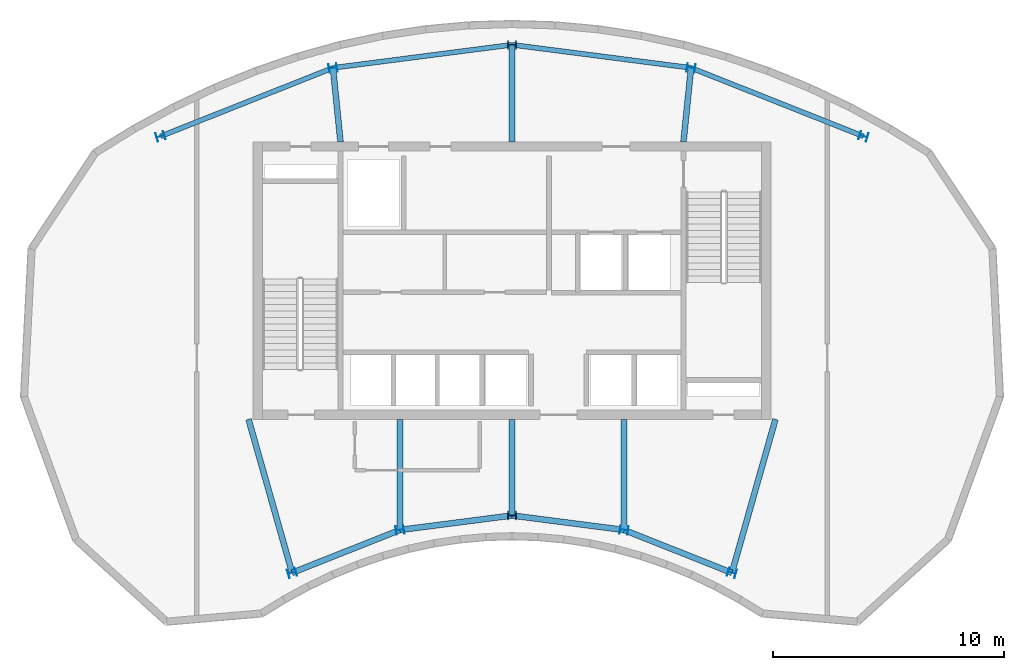
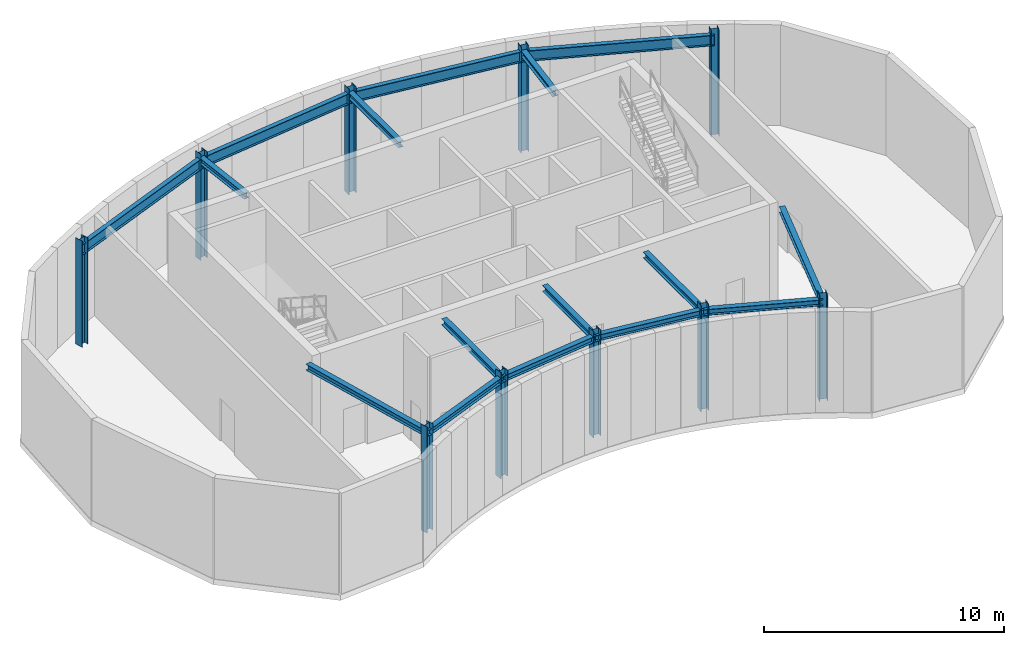
# One storey, part 1 of 5: 16 beams, 10 columns.
"""IFC4 building model written with IfcOpenShell, lengths in metres."""

from ifc_helpers import new_model, si_unit, direction, frame, origin, origin_2d, place, context, subcontext, project, spatial, i_section, extrude, source, transform, mapped, material, material_profile, profile_set, type_object, element, save


model = new_model("IFC4")

# Units and contexts
model_context = context("Model", 3, precision=1e-05, world=origin(), true_north=direction((0.0, 1.0)))
body_context = subcontext(model_context, "Body", "Model", "MODEL_VIEW")
ifc_project = project(units=[si_unit("LENGTHUNIT", "METRE"), si_unit("AREAUNIT", "SQUARE_METRE"), si_unit("VOLUMEUNIT", "CUBIC_METRE"), si_unit("PLANEANGLEUNIT", "RADIAN"), si_unit("MASSUNIT", "GRAM", prefix="KILO")], contexts=[model_context])

# Site, building, storey
site_placement = place(None, origin())
site = spatial("IfcSite", under=ifc_project, at=site_placement, CompositionType="ELEMENT")
building_placement = place(site_placement, origin())
building = spatial("IfcBuilding", under=site, at=building_placement, Name="Breltana Convention Tower", CompositionType="ELEMENT")
storey_placement = place(building_placement, frame((0.0, 0.0, 318.0)))
storey = spatial("IfcBuildingStorey", under=building, at=storey_placement, Name="L77", CompositionType="ELEMENT", Elevation=318.0)

# Columns
ifc_material = material(Name="Steel ASTM A992 Grade 50", Category="steel")
ifc_material_profile_1 = material_profile(ifc_material, i_section(OverallWidth=0.368896484375, OverallDepth=0.35595703125, WebThickness=0.01123046875, FlangeThickness=0.01806640625, at=origin_2d()), Name="W14X90")
ifc_profile_set_1 = profile_set([ifc_material_profile_1], Name="Steel ASTM A992 Grade 50")
column_type = type_object("IfcColumnType", Name="COL-STL-W14X90", PredefinedType="COLUMN", material=ifc_profile_set_1)
shared_shape_1 = source(origin(), body_context, "Body", "SweptSolid", [
    extrude(i_section(OverallWidth=0.368896484375, OverallDepth=0.35595703125, WebThickness=0.01123046875, FlangeThickness=0.01806640625, at=origin_2d()), origin(), (0.0, 0.0, 1.0), 5.39990234375),
])
for number, where, z_axis, x_axis, name in (
    (1, (38.485107421875, 53.5576171875, 0.0), (0.0, 0.0, 1.0), (-0.288697611798, 0.957420330337, 0.0), "L77 Tower Column R04-IN"),
    (2, (32.791015625, 72.4423828125, 0.0), (0.0, 0.0, 1.0), (-0.288697611798, 0.957420330337, 0.0), "L77 Tower Column R04-OUT"),
    (3, (43.153564453125, 55.41064453125, 0.0), (0.0, 0.0, 1.0), (-0.143492621991, 0.98965138682, 0.0), "L77 Tower Column R05-IN"),
    (4, (40.253173828125, 75.404296875, 0.0), (0.0, 0.0, 1.0), (-0.143492621991, 0.98965138682, 0.0), "L77 Tower Column R05-OUT"),
    (5, (48.0, 56.035888671875, 0.0), (0.0, 0.0, 1.0), (0.0, 1.0, 0.0), "L77 Tower Column R06-IN"),
    (6, (48.0, 76.404052734375, 0.0), (0.0, 0.0, 1.0), (0.0, 1.0, 0.0), "L77 Tower Column R06-OUT"),
    (7, (52.846435546875, 55.41064453125, 0.0), (0.0, 0.0, 1.0), (0.143492621991, 0.98965138682, 0.0), "L77 Tower Column R07-IN"),
    (8, (55.746826171875, 75.404296875, 0.0), (0.0, 0.0, 1.0), (0.143492621991, 0.98965138682, 0.0), "L77 Tower Column R07-OUT"),
    (9, (57.514892578125, 53.5576171875, 0.0), (0.0, 0.0, 1.0), (0.288697611798, 0.957420330337, 0.0), "L77 Tower Column R08-IN"),
    (10, (63.208984375, 72.4423828125, 0.0), (0.0, 0.0, 1.0), (0.288697611798, 0.957420330337, 0.0), "L77 Tower Column R08-OUT"),
):
    element("IfcColumn", number, at=place(storey_placement, frame(where, z_axis=z_axis, x_axis=x_axis)), inside=storey, type_object=column_type, Name=name, PredefinedType="COLUMN", context=body_context, shape_type="MappedRepresentation", body=[
        mapped(shared_shape_1, transform((0.0, 0.0, 0.0), scale=1.0)),
    ])

# Beams
ifc_material_profile_2 = material_profile(ifc_material, i_section(OverallWidth=0.214111328125, OverallDepth=0.549072265625, WebThickness=0.0146484375, FlangeThickness=0.023681640625, at=origin_2d()), Name="W21X93")
ifc_profile_set_2 = profile_set([ifc_material_profile_2], Name="Steel ASTM A992 Grade 50")
beam_type_1 = type_object("IfcBeamType", Name="BM-SP-W21X93", PredefinedType="SPANDREL", material=ifc_profile_set_2)
shared_shape_2 = source(origin(), body_context, "Body", "SweptSolid", [
    extrude(i_section(OverallWidth=0.214111328125, OverallDepth=0.549072265625, WebThickness=0.0146484375, FlangeThickness=0.023681640625, at=origin_2d()), origin(), (0.0, 0.0, 1.0), 8.028564453125),
])
for number, where, z_axis, x_axis, name in (
    (11, (32.791015625, 72.4423828125, 4.845458984375), (0.929459100394, 0.368925169507, 0.0), (-0.368925169507, 0.929459100394, 0.0), "L77 Outer Spandrel Beam 04"),
    (12, (55.746826171875, 75.404296875, 4.845458984375), (0.929459100394, -0.368925169507, 0.0), (0.368925169507, 0.929459100394, 0.0), "L77 Outer Spandrel Beam 07"),
):
    element("IfcBeam", number, at=place(storey_placement, frame(where, z_axis=z_axis, x_axis=x_axis)), inside=storey, type_object=beam_type_1, Name=name, PredefinedType="SPANDREL", context=body_context, shape_type="MappedRepresentation", body=[
        mapped(shared_shape_2, transform((0.0, 0.0, 0.0), scale=1.0)),
    ])
shared_shape_3 = source(origin(), body_context, "Body", "SweptSolid", [
    extrude(i_section(OverallWidth=0.214111328125, OverallDepth=0.549072265625, WebThickness=0.0146484375, FlangeThickness=0.023681640625, at=origin_2d()), origin(), (0.0, 0.0, 1.0), 7.81103515625),
])
for number, where, z_axis, x_axis, name in (
    (13, (40.253173828125, 75.404296875, 4.845458984375), (0.991775179127, 0.127992164083, 0.0), (-0.127992164083, 0.991775179127, 0.0), "L77 Outer Spandrel Beam 05"),
    (14, (48.0, 76.404052734375, 4.845458984375), (0.991775179127, -0.127992164083, 0.0), (0.127992164083, 0.991775179127, 0.0), "L77 Outer Spandrel Beam 06"),
):
    element("IfcBeam", number, at=place(storey_placement, frame(where, z_axis=z_axis, x_axis=x_axis)), inside=storey, type_object=beam_type_1, Name=name, PredefinedType="SPANDREL", context=body_context, shape_type="MappedRepresentation", body=[
        mapped(shared_shape_3, transform((0.0, 0.0, 0.0), scale=1.0)),
    ])
ifc_material_profile_3 = material_profile(ifc_material, i_section(OverallWidth=0.25390625, OverallDepth=0.305908203125, WebThickness=0.0087890625, FlangeThickness=0.0146484375, at=origin_2d()), Name="W12X53")
ifc_profile_set_3 = profile_set([ifc_material_profile_3], Name="Steel ASTM A992 Grade 50")
beam_type_2 = type_object("IfcBeamType", Name="BM-CN-W12X53", PredefinedType="BEAM", material=ifc_profile_set_3)
shared_shape_4 = source(origin(), body_context, "Body", "SweptSolid", [
    extrude(i_section(OverallWidth=0.25390625, OverallDepth=0.305908203125, WebThickness=0.0087890625, FlangeThickness=0.0146484375, at=origin_2d()), origin(), (0.0, 0.0, 1.0), 6.904541015625),
])
for number, where, z_axis, x_axis, name in (
    (15, (36.60009765625, 60.199951171875, 4.967041015625), (0.273006781054, -0.962012108811, 0.0), (0.962012108811, 0.273006781054, 0.0), "L77 South Core Tie Girder R04"),
    (16, (59.39990234375, 60.199951171875, 4.967041015625), (-0.273006781054, -0.962012108811, 0.0), (0.962012108811, -0.273006781054, 0.0), "L77 South Core Tie Girder R08"),
):
    element("IfcBeam", number, at=place(storey_placement, frame(where, z_axis=z_axis, x_axis=x_axis)), inside=storey, type_object=beam_type_2, Name=name, PredefinedType="BEAM", context=body_context, shape_type="MappedRepresentation", body=[
        mapped(shared_shape_4, transform((0.0, 0.0, 0.0), scale=1.0)),
    ])
shared_shape_5 = source(origin(), body_context, "Body", "SweptSolid", [
    extrude(i_section(OverallWidth=0.25390625, OverallDepth=0.305908203125, WebThickness=0.0087890625, FlangeThickness=0.0146484375, at=origin_2d()), origin(), (0.0, 0.0, 1.0), 4.789306640625),
])
for number, where, z_axis, x_axis, name in (
    (17, (43.153564453125, 60.199951171875, 4.967041015625), (0.0, -1.0, 0.0), (1.0, 0.0, 0.0), "L77 South Core Tie Girder R05"),
    (18, (52.846435546875, 60.199951171875, 4.967041015625), (0.0, -1.0, 0.0), (1.0, 0.0, 0.0), "L77 South Core Tie Girder R07"),
):
    element("IfcBeam", number, at=place(storey_placement, frame(where, z_axis=z_axis, x_axis=x_axis)), inside=storey, type_object=beam_type_2, Name=name, PredefinedType="BEAM", context=body_context, shape_type="MappedRepresentation", body=[
        mapped(shared_shape_5, transform((0.0, 0.0, 0.0), scale=1.0)),
    ])
shared_shape_6 = source(origin(), body_context, "Body", "SweptSolid", [
    extrude(i_section(OverallWidth=0.25390625, OverallDepth=0.305908203125, WebThickness=0.0087890625, FlangeThickness=0.0146484375, at=origin_2d()), origin(), (0.0, 0.0, 1.0), 3.220947265625),
])
for number, where, z_axis, x_axis, name in (
    (19, (40.580078125, 72.199951171875, 4.967041015625), (-0.101492254858, 0.994836329355, 0.0), (-0.994836329355, -0.101492254858, 0.0), "L77 North Core Radial Girder R05"),
    (20, (55.419921875, 72.199951171875, 4.967041015625), (0.101492254858, 0.994836329355, 0.0), (-0.994836329355, 0.101492254858, 0.0), "L77 North Core Radial Girder R07"),
):
    element("IfcBeam", number, at=place(storey_placement, frame(where, z_axis=z_axis, x_axis=x_axis)), inside=storey, type_object=beam_type_2, Name=name, PredefinedType="BEAM", context=body_context, shape_type="MappedRepresentation", body=[
        mapped(shared_shape_6, transform((0.0, 0.0, 0.0), scale=1.0)),
    ])
shared_shape_7 = source(origin(), body_context, "Body", "SweptSolid", [
    extrude(i_section(OverallWidth=0.25390625, OverallDepth=0.305908203125, WebThickness=0.0087890625, FlangeThickness=0.0146484375, at=origin_2d()), origin(), (0.0, 0.0, 1.0), 4.1640625),
])
beam_1_placement = place(storey_placement, frame((48.0, 60.199951171875, 4.967041015625), z_axis=(0.0, -1.0, 0.0), x_axis=(1.0, 0.0, 0.0)))
element("IfcBeam", 21, at=beam_1_placement, inside=storey, type_object=beam_type_2, Name="L77 South Core Tie Girder R06", PredefinedType="BEAM", context=body_context, shape_type="MappedRepresentation", body=[
    mapped(shared_shape_7, transform((0.0, 0.0, 0.0), scale=1.0)),
])
shared_shape_8 = source(origin(), body_context, "Body", "SweptSolid", [
    extrude(i_section(OverallWidth=0.25390625, OverallDepth=0.305908203125, WebThickness=0.0087890625, FlangeThickness=0.0146484375, at=origin_2d()), origin(), (0.0, 0.0, 1.0), 4.2041015625),
])
beam_2_placement = place(storey_placement, frame((48.0, 72.199951171875, 4.967041015625), z_axis=(0.0, 1.0, 0.0), x_axis=(-1.0, 0.0, 0.0)))
element("IfcBeam", 22, at=beam_2_placement, inside=storey, type_object=beam_type_2, Name="L77 North Core Radial Girder R06", PredefinedType="BEAM", context=body_context, shape_type="MappedRepresentation", body=[
    mapped(shared_shape_8, transform((0.0, 0.0, 0.0), scale=1.0)),
])
shared_shape_9 = source(origin(), body_context, "Body", "SweptSolid", [
    extrude(i_section(OverallWidth=0.25390625, OverallDepth=0.305908203125, WebThickness=0.0087890625, FlangeThickness=0.0146484375, at=origin_2d()), origin(), (0.0, 0.0, 1.0), 5.022705078125),
])
for number, where, z_axis, x_axis, name in (
    (23, (38.485107421875, 53.5576171875, 4.967041015625), (0.929458966248, 0.368925507469, 0.0), (-0.368925507469, 0.929458966248, 0.0), "L77 Inner Ring Beam 04"),
    (24, (52.846435546875, 55.41064453125, 4.967041015625), (0.929458966248, -0.368925507469, 0.0), (0.368925507469, 0.929458966248, 0.0), "L77 Inner Ring Beam 07"),
):
    element("IfcBeam", number, at=place(storey_placement, frame(where, z_axis=z_axis, x_axis=x_axis)), inside=storey, type_object=beam_type_2, Name=name, PredefinedType="BEAM", context=body_context, shape_type="MappedRepresentation", body=[
        mapped(shared_shape_9, transform((0.0, 0.0, 0.0), scale=1.0)),
    ])
shared_shape_10 = source(origin(), body_context, "Body", "SweptSolid", [
    extrude(i_section(OverallWidth=0.25390625, OverallDepth=0.305908203125, WebThickness=0.0087890625, FlangeThickness=0.0146484375, at=origin_2d()), origin(), (0.0, 0.0, 1.0), 4.88671875),
])
for number, where, z_axis, x_axis, name in (
    (25, (43.153564453125, 55.41064453125, 4.967041015625), (0.991780525565, 0.127950729231, 0.0), (-0.127950729231, 0.991780525565, 0.0), "L77 Inner Ring Beam 05"),
    (26, (48.0, 56.035888671875, 4.967041015625), (0.991780525565, -0.127950729231, 0.0), (0.127950729231, 0.991780525565, 0.0), "L77 Inner Ring Beam 06"),
):
    element("IfcBeam", number, at=place(storey_placement, frame(where, z_axis=z_axis, x_axis=x_axis)), inside=storey, type_object=beam_type_2, Name=name, PredefinedType="BEAM", context=body_context, shape_type="MappedRepresentation", body=[
        mapped(shared_shape_10, transform((0.0, 0.0, 0.0), scale=1.0)),
    ])

save(model, "model.ifc")
